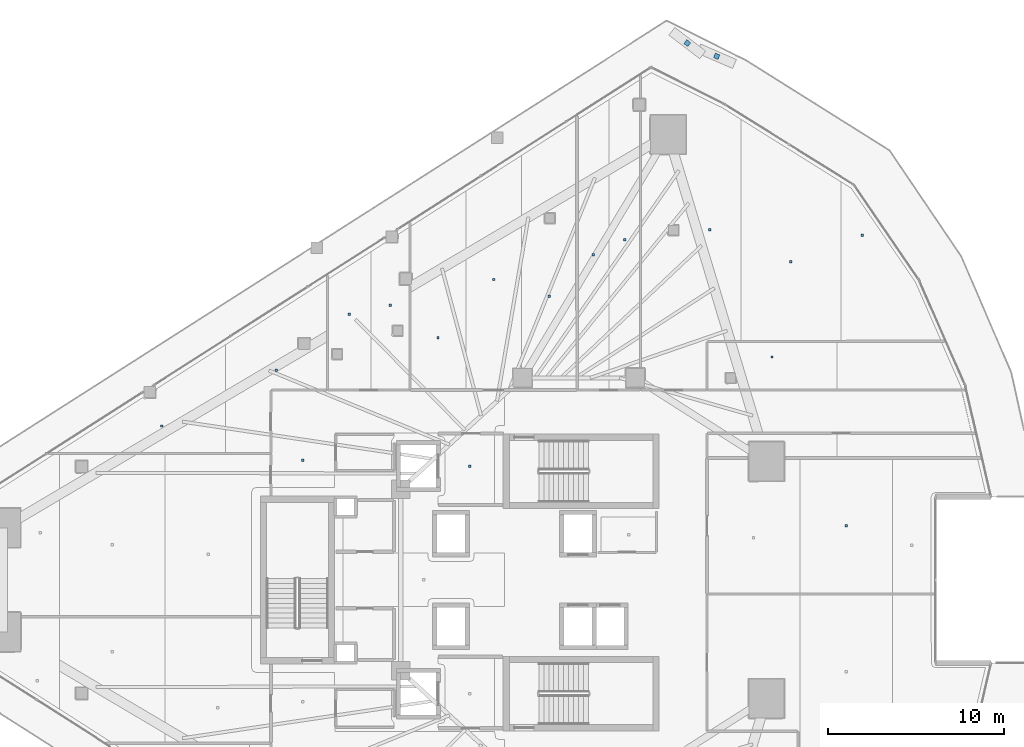
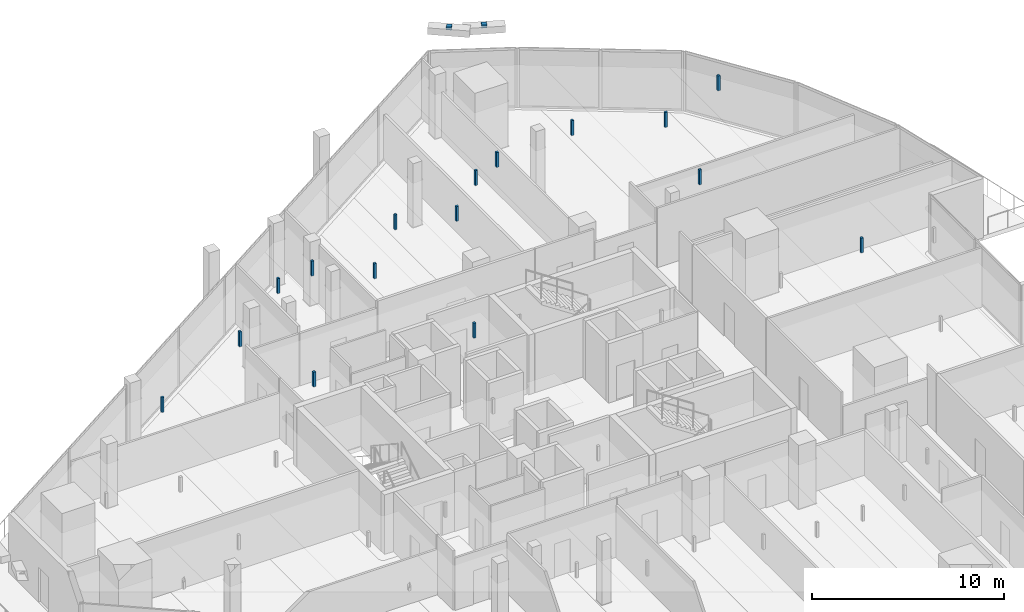
# One storey, part 28 of 35: 18 discrete accessories.
"""IFC4 building model written with IfcOpenShell, lengths in metres."""

import ifcopenshell
import ifcopenshell.guid

model = None  # the IFC model being written
_history = None  # IfcOwnerHistory: only IFC2X3 demands one
_inside = {}  # id of a spatial element -> (the spatial element, [elements in it])
_under = {}  # id of a project, library or spatial element -> (it, [spatial elements below it])
_declared = {}  # id of a project -> (the project, [libraries it declares])
_typed = {}  # id of a type object -> (the type object, [elements of that type])
_made_of = {}  # id of a material, layer set ... -> (it, [elements and type objects made of it])


def new_model(schema):
    """Start an empty IFC model of exactly this schema.

    Asked for "IFC4X3", IfcOpenShell would pick the latest addendum, in which some entities
    have other attributes; the version numbers below select the first issue.
    IFC2X3 requires an IfcOwnerHistory on every rooted entity: one is made here for all.
    """
    global model, _history
    if schema == "IFC4X3":
        model = ifcopenshell.file(schema_version=(4, 3, 0, 0))
    else:
        model = ifcopenshell.file(schema=schema)
    _inside.clear()
    _under.clear()
    _declared.clear()
    _typed.clear()
    _made_of.clear()
    _history = None
    if model.schema == "IFC2X3":
        org = make("IfcOrganization", Name="unknown")
        user = make(
            "IfcPersonAndOrganization",
            ThePerson=make("IfcPerson", FamilyName="unknown"),
            TheOrganization=org,
        )
        app = make(
            "IfcApplication",
            ApplicationDeveloper=org,
            Version="unknown",
            ApplicationFullName="unknown",
            ApplicationIdentifier="unknown",
        )
        _history = make(
            "IfcOwnerHistory",
            OwningUser=user,
            OwningApplication=app,
            ChangeAction="ADDED",
            CreationDate=0,
        )
    return model


def make(cls, **values):
    """One entity of the class cls with the attributes given. An attribute that is None is left unset."""
    return model.create_entity(
        cls, **{name: value for name, value in values.items() if value is not None}
    )


def rooted(cls, **values):
    """An entity with a GlobalId (a new one), such as an element, a storey or a relation."""
    return make(cls, GlobalId=ifcopenshell.guid.new(), OwnerHistory=_history, **values)


def si_unit(unit_type, name, prefix=None):
    """IfcSIUnit, for example si_unit("LENGTHUNIT", "METRE", prefix="MILLI")."""
    return make("IfcSIUnit", UnitType=unit_type, Prefix=prefix, Name=name)


def assignment(units):
    """IfcUnitAssignment: the units of a project."""
    return None if units is None else make("IfcUnitAssignment", Units=units)


def point(xyz):
    """IfcCartesianPoint."""
    return None if xyz is None else make("IfcCartesianPoint", Coordinates=xyz)


def direction(xyz):
    """IfcDirection."""
    return None if xyz is None else make("IfcDirection", DirectionRatios=xyz)


def frame(location, z_axis=None, x_axis=None):
    """IfcAxis2Placement3D, a coordinate frame: its origin and axes. An axis left out is left unset."""
    return make(
        "IfcAxis2Placement3D",
        Location=point(location),
        Axis=direction(z_axis),
        RefDirection=direction(x_axis),
    )


def frame_2d(location, x_axis=None):
    """IfcAxis2Placement2D, a coordinate frame in the plane: its origin and x axis."""
    return make(
        "IfcAxis2Placement2D", Location=point(location), RefDirection=direction(x_axis)
    )


def origin():
    """The frame at (0, 0, 0) with its axes left unset."""
    return frame((0.0, 0.0, 0.0))


def origin_2d():
    """The frame at (0, 0) in the plane with its x axis left unset."""
    return frame_2d((0.0, 0.0))


def place(relative_to, where):
    """IfcLocalPlacement: puts the frame where relative to a parent placement (None: the world)."""
    return make(
        "IfcLocalPlacement", PlacementRelTo=relative_to, RelativePlacement=where
    )


def context(
    kind, dimensions, precision=None, world=None, true_north=None, identifier=None
):
    """IfcGeometricRepresentationContext, for example the 3D "Model" context."""
    return make(
        "IfcGeometricRepresentationContext",
        ContextIdentifier=identifier,
        ContextType=kind,
        CoordinateSpaceDimension=dimensions,
        Precision=precision,
        WorldCoordinateSystem=world,
        TrueNorth=true_north,
    )


def subcontext(parent, identifier, kind, view, scale=None):
    """IfcGeometricRepresentationSubContext, for example "Body" below "Model"."""
    return make(
        "IfcGeometricRepresentationSubContext",
        ContextIdentifier=identifier,
        ContextType=kind,
        ParentContext=parent,
        TargetScale=scale,
        TargetView=view,
    )


def project(units=None, contexts=None):
    """IfcProject with its units and contexts."""
    return rooted(
        "IfcProject",
        Name="project",
        RepresentationContexts=contexts,
        UnitsInContext=assignment(units),
    )


def spatial(cls, under=None, at=None, **own):
    """A site, building, storey or space (cls), placed at a placement, below another one or the project."""
    s = rooted(cls, ObjectPlacement=at, **own)
    if under is not None:
        _under.setdefault(under.id(), (under, []))[1].append(s)
    return s


def profile(cls, at=None, kind="AREA", **sizes):
    """A parametric profile (cls). Its sizes go by their IFC names, for example OverallWidth=200.0."""
    return make(cls, ProfileType=kind, Position=at, **sizes)


def rectangle(**sizes):
    """IfcRectangleProfileDef."""
    return profile("IfcRectangleProfileDef", **sizes)


def extrude(swept, where, along, depth):
    """IfcExtrudedAreaSolid: the profile swept, set in the frame where, extruded along a direction by depth."""
    return make(
        "IfcExtrudedAreaSolid",
        SweptArea=swept,
        Position=where,
        ExtrudedDirection=direction(along),
        Depth=depth,
    )


def shape(context_of_items, identifier, shape_type, items):
    """IfcShapeRepresentation: the items that make up one representation, for example the "Body"."""
    return make(
        "IfcShapeRepresentation",
        ContextOfItems=context_of_items,
        RepresentationIdentifier=identifier,
        RepresentationType=shape_type,
        Items=items,
    )


def material(Name=None, Category=None):
    """IfcMaterial."""
    return make("IfcMaterial", Name=Name, Category=Category)


def made_of(thing, what):
    """Note that an element or type object is made of a material, layer set ...; save() writes the relation."""
    if what is not None:
        _made_of.setdefault(what.id(), (what, []))[1].append(thing)
    return thing


def type_object(cls, material=None, **own):
    """A type object (cls), such as IfcWallType, which elements share."""
    return made_of(rooted(cls, **own), material)


def element(
    cls,
    number,
    at=None,
    inside=None,
    cuts=None,
    type_object=None,
    material=None,
    context=None,
    identifier="Body",
    shape_type=None,
    held_by="IfcProductDefinitionShape",
    body=None,
    shapes=None,
    **own,
):
    """One element of the class cls, such as IfcWall. Its Tag is "e" and its number.

    at: its placement. inside: the storey or other place that contains it. cuts: it is an
    opening in that element (IfcRelVoidsElement). A single representation is given by context,
    identifier, shape_type and body (its items); several are given by shapes. held_by: the class
    of the entity that holds the representations. save() writes the other relations.
    """
    e = rooted(cls, Tag="e%d" % number, ObjectPlacement=at, **own)
    if body is not None:
        shapes = [shape(context, identifier, shape_type, body)]
    if shapes is not None:
        e.Representation = make(held_by, Representations=shapes)
    if inside is not None:
        _inside.setdefault(inside.id(), (inside, []))[1].append(e)
    if cuts is not None:
        rooted(
            "IfcRelVoidsElement", RelatingBuildingElement=cuts, RelatedOpeningElement=e
        )
    if type_object is not None:
        _typed.setdefault(type_object.id(), (type_object, []))[1].append(e)
    return made_of(e, material)


def aggregate(whole, parts):
    """IfcRelAggregates: a whole, such as a stair, and the parts it consists of."""
    return rooted("IfcRelAggregates", RelatingObject=whole, RelatedObjects=parts)


def save(model, path):
    """Write the relations noted so far, then the file.

    IfcRelAggregates (storeys below a building ...), IfcRelContainedInSpatialStructure (elements
    in a storey), IfcRelDefinesByType, IfcRelAssociatesMaterial and IfcRelDeclares: one each for
    every whole, place, type object, material and project.
    """
    for whole, parts in _under.values():
        aggregate(whole, parts)
    for where, things in _inside.values():
        rooted(
            "IfcRelContainedInSpatialStructure",
            RelatedElements=things,
            RelatingStructure=where,
        )
    for kind, things in _typed.values():
        rooted("IfcRelDefinesByType", RelatedObjects=things, RelatingType=kind)
    for what, things in _made_of.values():
        rooted("IfcRelAssociatesMaterial", RelatedObjects=things, RelatingMaterial=what)
    for by, libraries in _declared.values():
        rooted("IfcRelDeclares", RelatingContext=by, RelatedDefinitions=libraries)
    model.write(path)


model = new_model("IFC4")

# Units and contexts
model_context = context("Model", 3, precision=1e-05, world=origin(), true_north=direction((0.0, 1.0)))
body_context = subcontext(model_context, "Body", "Model", "MODEL_VIEW")
ifc_project = project(units=[si_unit("LENGTHUNIT", "METRE"), si_unit("AREAUNIT", "SQUARE_METRE"), si_unit("VOLUMEUNIT", "CUBIC_METRE"), si_unit("PLANEANGLEUNIT", "RADIAN"), si_unit("MASSUNIT", "GRAM", prefix="KILO")], contexts=[model_context])

# Site, building, storey
site_placement = place(None, origin())
site = spatial("IfcSite", under=ifc_project, at=site_placement, CompositionType="ELEMENT")
building_placement = place(site_placement, origin())
building = spatial("IfcBuilding", under=site, at=building_placement, Name="Qorvath Tower", CompositionType="ELEMENT")
storey_placement = place(building_placement, frame((0.0, 0.0, 166.5)))
storey = spatial("IfcBuildingStorey", under=building, at=storey_placement, Name="L38", CompositionType="ELEMENT", Elevation=166.5)

# Discrete accessories
ifc_material = material(Name="Galvanised steel bracket", Category="steel")
discrete_accessory_type = type_object("IfcDiscreteAccessoryType", Name="DA-BRACKET", PredefinedType="BRACKET", material=ifc_material)
for number, where, z_axis, x_axis, name in (
    (1, (-12.595458984375, 29.677978515625, 3.64013671875), (0.0, 0.0, 1.0), (-0.917255525592, 0.39829926032, 0.0), "Louvre Wave Support Bracket L38-05"),
    (2, (-14.260986328125, 30.42431640625, 3.64013671875), (0.0, 0.0, 1.0), (-0.793529680187, 0.608531549439, 0.0), "Louvre Wave Support Bracket L38-06"),
):
    element("IfcDiscreteAccessory", number, at=place(storey_placement, frame(where, z_axis=z_axis, x_axis=x_axis)), inside=storey, type_object=discrete_accessory_type, Name=name, PredefinedType="NOTDEFINED", context=body_context, shape_type="SweptSolid", body=[
        extrude(rectangle(XDim=0.280029296875, YDim=0.280029296875, at=origin_2d()), origin(), (0.0, 0.0, 1.0), 0.199951171875),
    ])
for number, where, z_axis, x_axis, name in (
    (3, (-26.590087890625, 6.449951171875, 2.85986328125), (0.0, 0.0, 1.0), (1.0, 0.0, 0.0), "Acoustic Ceiling Suspension Hanger T1-L38-001"),
    (4, (-36.040283203125, 6.782470703125, 2.85986328125), (0.0, 0.0, 1.0), (1.0, 0.0, 0.0), "Acoustic Ceiling Suspension Hanger T1-L38-009"),
    (5, (-33.41845703125, 15.069091796875, 2.85986328125), (0.0, 0.0, 1.0), (1.0, 0.0, 0.0), "Acoustic Ceiling Suspension Hanger T1-L38-011"),
    (6, (-31.087890625, 15.55810546875, 2.85986328125), (0.0, 0.0, 1.0), (1.0, 0.0, 0.0), "Acoustic Ceiling Suspension Hanger T1-L38-012"),
    (7, (-28.388916015625, 13.71875, 2.85986328125), (0.0, 0.0, 1.0), (1.0, 0.0, 0.0), "Acoustic Ceiling Suspension Hanger T1-L38-013"),
    (8, (-25.235107421875, 17.027587890625, 2.85986328125), (0.0, 0.0, 1.0), (1.0, 0.0, 0.0), "Acoustic Ceiling Suspension Hanger T1-L38-014"),
    (9, (-22.082763671875, 16.088623046875, 2.85986328125), (0.0, 0.0, 1.0), (1.0, 0.0, 0.0), "Acoustic Ceiling Suspension Hanger T1-L38-015"),
    (10, (-19.593994140625, 18.41748046875, 2.85986328125), (0.0, 0.0, 1.0), (1.0, 0.0, 0.0), "Acoustic Ceiling Suspension Hanger T1-L38-016"),
    (11, (-17.810546875, 19.28955078125, 2.85986328125), (0.0, 0.0, 1.0), (1.0, 0.0, 0.0), "Acoustic Ceiling Suspension Hanger T1-L38-017"),
    (12, (-12.977783203125, 19.83935546875, 2.85986328125), (0.0, 0.0, 1.0), (1.0, 0.0, 0.0), "Acoustic Ceiling Suspension Hanger T1-L38-018"),
    (13, (-8.38720703125, 18.04345703125, 2.85986328125), (0.0, 0.0, 1.0), (1.0, 0.0, 0.0), "Acoustic Ceiling Suspension Hanger T1-L38-019"),
    (14, (-4.348876953125, 19.541748046875, 2.85986328125), (0.0, 0.0, 1.0), (1.0, 0.0, 0.0), "Acoustic Ceiling Suspension Hanger T1-L38-020"),
    (15, (-5.251220703125, 3.06201171875, 2.85986328125), (0.0, 0.0, 1.0), (1.0, 0.0, 0.0), "Acoustic Ceiling Suspension Hanger T1-L38-037"),
    (16, (-9.459716796875, 12.634765625, 2.85986328125), (0.0, 0.0, 1.0), (1.0, 0.0, 0.0), "Acoustic Ceiling Suspension Hanger T1-L38-039"),
    (17, (-44.040283203125, 8.725341796875, 2.85986328125), (0.0, 0.0, 1.0), (1.0, 0.0, 0.0), "Acoustic Ceiling Suspension Hanger T1-L38-050"),
    (18, (-37.5537109375, 11.87939453125, 2.85986328125), (0.0, 0.0, 1.0), (1.0, 0.0, 0.0), "Acoustic Ceiling Suspension Hanger T1-L38-051"),
):
    element("IfcDiscreteAccessory", number, at=place(storey_placement, frame(where, z_axis=z_axis, x_axis=x_axis)), inside=storey, type_object=discrete_accessory_type, Name=name, PredefinedType="NOTDEFINED", context=body_context, shape_type="SweptSolid", body=[
        extrude(rectangle(XDim=0.139892578125, YDim=0.139892578125, at=origin_2d()), origin(), (0.0, 0.0, 1.0), 0.949951171875),
    ])

save(model, "model.ifc")
